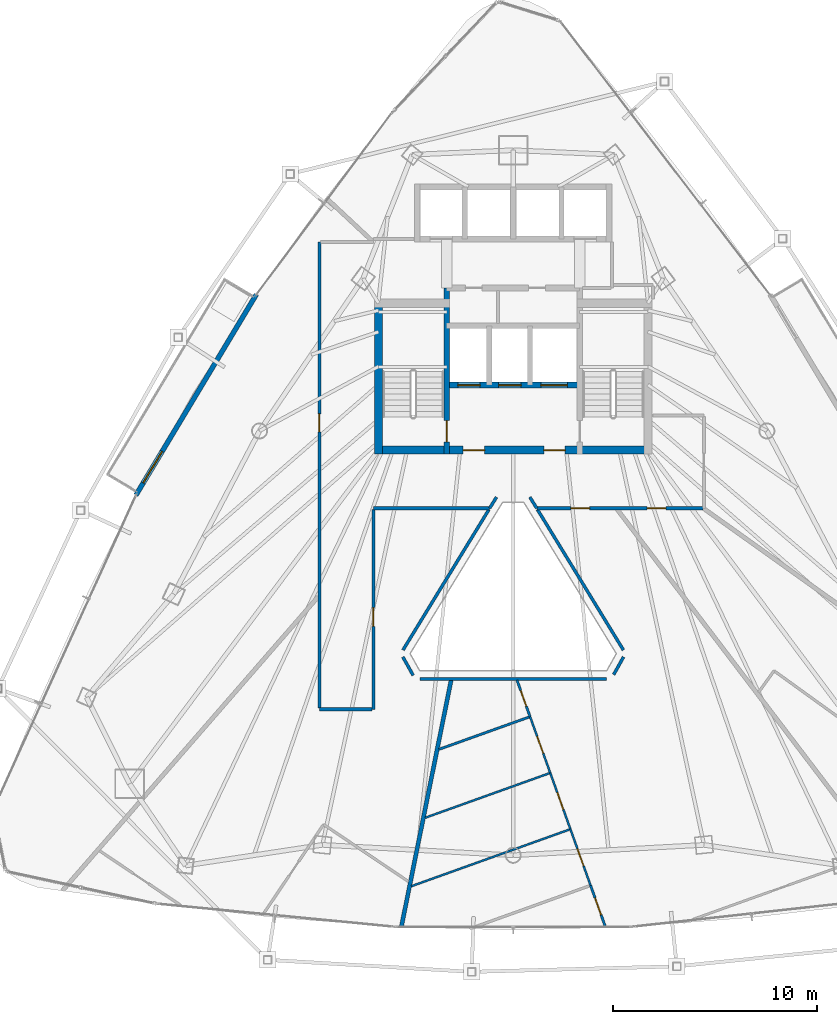
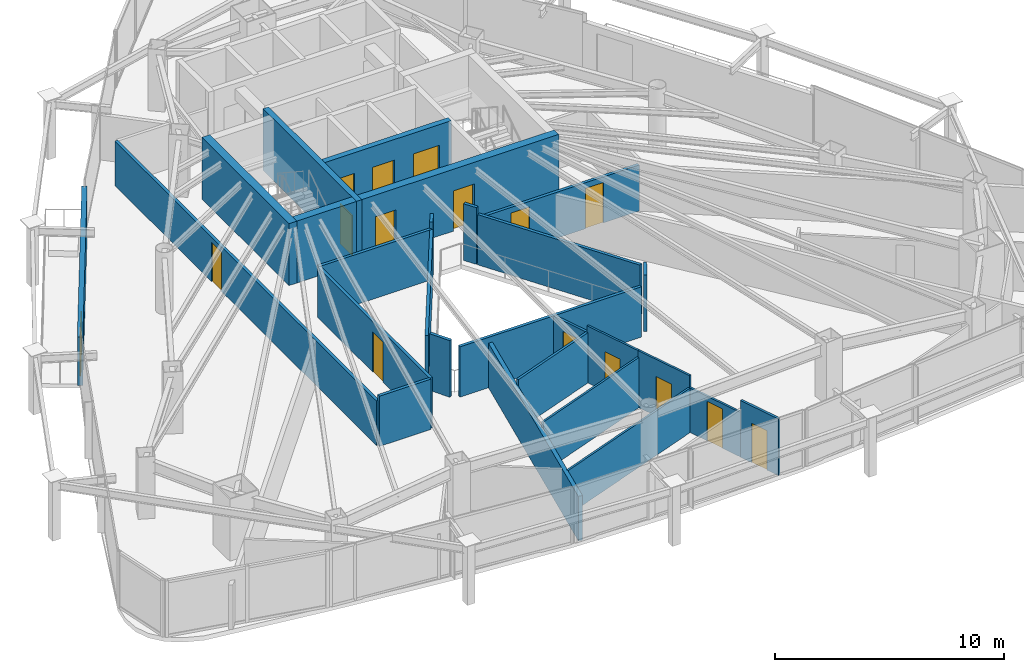
# One storey, part 25 of 30: 26 walls, 16 doors, 16 openings.
"""IFC4 building model written with IfcOpenShell, lengths in metres."""

from ifc_helpers import new_model, si_unit, direction, frame, frame_2d, origin, place, context, subcontext, project, spatial, rectangle, extrude, material, layer, layer_set, type_object, element, fill, save


model = new_model("IFC4")

# Units and contexts
model_context = context("Model", 3, precision=1e-05, world=origin(), true_north=direction((0.0, 1.0)))
body_context = subcontext(model_context, "Body", "Model", "MODEL_VIEW")
ifc_project = project(units=[si_unit("LENGTHUNIT", "METRE"), si_unit("AREAUNIT", "SQUARE_METRE"), si_unit("VOLUMEUNIT", "CUBIC_METRE"), si_unit("PLANEANGLEUNIT", "RADIAN"), si_unit("MASSUNIT", "GRAM", prefix="KILO")], contexts=[model_context])

# Site, building, storey
site_placement = place(None, origin())
site = spatial("IfcSite", under=ifc_project, at=site_placement, CompositionType="ELEMENT")
building_placement = place(site_placement, origin())
building = spatial("IfcBuilding", under=site, at=building_placement, Name="Orvanel Arch Residences", CompositionType="ELEMENT")
storey_placement = place(building_placement, frame((0.0, 0.0, 143.0)))
storey = spatial("IfcBuildingStorey", under=building, at=storey_placement, Name="L40", CompositionType="ELEMENT", Elevation=143.0)

# Wall, opening, door
ifc_material_1 = material(Name="Precast concrete N50 (50 MPa)", Category="concrete")
ifc_layer_1 = layer(ifc_material_1, 0.239990234375)
ifc_layer_set_1 = layer_set([ifc_layer_1], Name="Precast concrete N50 (50 MPa)")
wall_type_1 = type_object("IfcWallType", Name="EW-BAL-240", PredefinedType="SOLIDWALL", material=ifc_layer_set_1)
wall_1_placement = place(storey_placement, frame((20.407958984375, 34.326904296875, 0.0), z_axis=(0.0, 0.0, 1.0), x_axis=(-0.514364263751, -0.857571807009, 0.0)))
wall_1 = element("IfcWall", 1, at=wall_1_placement, inside=storey, type_object=wall_type_1, Name="L40 Balcony Threshold Wall Face 1", PredefinedType="SOLIDWALL", context=body_context, shape_type="SweptSolid", body=[
    extrude(rectangle(XDim=11.46826171875, YDim=0.239990234375, at=frame_2d((5.734130859375, 0.0))), origin(), (0.0, 0.0, 1.0), 2.583984375),
])
opening_1_placement = place(wall_1_placement, frame((8.971923828125, 0.0, 0.0)))
opening_1 = element("IfcOpeningElement", 2, at=opening_1_placement, cuts=wall_1, Name="Opening DB-180", PredefinedType="OPENING", context=body_context, shape_type="SweptSolid", body=[
    extrude(rectangle(XDim=1.800048828125, YDim=2.199951171875, at=frame_2d((0.89990234375, 1.10009765625))), frame((0.0, 0.1298828125, 0.0), z_axis=(0.0, -1.0, 0.0), x_axis=(1.0, 0.0, 0.0)), (0.0, 0.0, 1.0), 0.260009765625),
])
ifc_material_2 = material(Name="Bronze-anodised aluminium AA6063-T6", Category="aluminium")
door_type_1 = type_object("IfcDoorType", Name="DR-BAL-1800", OperationType="NOTDEFINED", PredefinedType="DOOR", material=ifc_material_2)
door_1_placement = place(opening_1_placement, origin())
door_1 = element("IfcDoor", 3, at=door_1_placement, inside=storey, type_object=door_type_1, Name="DR-L40-BAL-F1 L40 Planted Balcony Access Door Face 1", OperationType="SINGLE_SWING_RIGHT", OverallHeight=2.199951171875, OverallWidth=1.800048828125, PredefinedType="DOOR", context=body_context, shape_type="SweptSolid", body=[
    extrude(rectangle(XDim=1.800048828125, YDim=2.199951171875, at=frame_2d((0.89990234375, 1.10009765625))), frame((0.0, 0.02490234375, 0.0), z_axis=(0.0, -1.0, 0.0), x_axis=(1.0, 0.0, 0.0)), (0.0, 0.0, 1.0), 0.050048828125),
])
fill(opening_1, door_1)

ifc_material_3 = material(Name="Concrete S65 (65 MPa)", Category="concrete")
ifc_layer_2 = layer(ifc_material_3, 0.280029296875)
ifc_layer_set_2 = layer_set([ifc_layer_2], Name="Concrete S65 (65 MPa)")
wall_type_2 = type_object("IfcWallType", Name="SW-CORE-280", PredefinedType="SHEAR", material=ifc_layer_set_2)
wall_2_placement = place(storey_placement, frame((29.739990234375, 26.5, 0.0), z_axis=(0.0, 0.0, 1.0), x_axis=(0.0, 1.0, 0.0)))
wall_2 = element("IfcWall", 4, at=wall_2_placement, inside=storey, type_object=wall_type_2, Name="L40 West Inner Core Spine Shear Wall", PredefinedType="SHEAR", context=body_context, shape_type="SweptSolid", body=[
    extrude(rectangle(XDim=8.14990234375, YDim=0.280029296875, at=frame_2d((4.074951171875, 0.0))), origin(), (0.0, 0.0, 1.0), 3.300048828125),
])
opening_2_placement = place(wall_2_placement, frame((0.60009765625, 0.0, 0.0)))
opening_2 = element("IfcOpeningElement", 5, at=opening_2_placement, cuts=wall_2, Name="Opening DF-120", PredefinedType="OPENING", context=body_context, shape_type="SweptSolid", body=[
    extrude(rectangle(XDim=1.050048828125, YDim=2.14990234375, at=frame_2d((0.52490234375, 1.074951171875))), frame((0.0, 0.14990234375, 0.0), z_axis=(0.0, -1.0, 0.0), x_axis=(1.0, 0.0, 0.0)), (0.0, 0.0, 1.0), 0.300048828125),
])
ifc_material_4 = material(Name="Galvanised steel fire-resisting door assembly", Category="steel")
door_type_2 = type_object("IfcDoorType", Name="DR-FD120-1050", OperationType="NOTDEFINED", PredefinedType="DOOR", material=ifc_material_4)
door_2_placement = place(opening_2_placement, origin())
door_2 = element("IfcDoor", 6, at=door_2_placement, inside=storey, type_object=door_type_2, Name="DR-L40-ST1 L40 Stair 1 Fire Door", OperationType="SINGLE_SWING_LEFT", OverallHeight=2.14990234375, OverallWidth=1.050048828125, PredefinedType="DOOR", context=body_context, shape_type="SweptSolid", body=[
    extrude(rectangle(XDim=1.050048828125, YDim=2.14990234375, at=frame_2d((0.52490234375, 1.074951171875))), frame((0.0, 0.02490234375, 0.0), z_axis=(0.0, -1.0, 0.0), x_axis=(1.0, 0.0, 0.0)), (0.0, 0.0, 1.0), 0.050048828125),
])
fill(opening_2, door_2)

# Wall, openings, doors
wall_3_placement = place(storey_placement, frame((36.260009765625, 29.889892578125, 0.0), z_axis=(0.0, 0.0, 1.0), x_axis=(-1.0, 0.0, 0.0)))
wall_3 = element("IfcWall", 7, at=wall_3_placement, inside=storey, type_object=wall_type_2, Name="L40 Emergency Lift Front Core Shear Wall", PredefinedType="SHEAR", context=body_context, shape_type="SweptSolid", body=[
    extrude(rectangle(XDim=6.52001953125, YDim=0.280029296875, at=frame_2d((3.260009765625, 0.0))), origin(), (0.0, 0.0, 1.0), 3.300048828125),
])
opening_3_placement = place(wall_3_placement, frame((4.875, 0.0, 0.0)))
opening_3 = element("IfcOpeningElement", 8, at=opening_3_placement, cuts=wall_3, Name="Opening LD-110", PredefinedType="OPENING", context=body_context, shape_type="SweptSolid", body=[
    extrude(rectangle(XDim=1.10009765625, YDim=2.199951171875, at=frame_2d((0.550048828125, 1.10009765625))), frame((0.0, 0.14990234375, 0.0), z_axis=(0.0, -1.0, 0.0), x_axis=(1.0, 0.0, 0.0)), (0.0, 0.0, 1.0), 0.300048828125),
])
opening_4_placement = place(wall_3_placement, frame((2.875, 0.0, 0.0)))
opening_4 = element("IfcOpeningElement", 9, at=opening_4_placement, cuts=wall_3, Name="Opening LD-110", PredefinedType="OPENING", context=body_context, shape_type="SweptSolid", body=[
    extrude(rectangle(XDim=1.10009765625, YDim=2.199951171875, at=frame_2d((0.550048828125, 1.10009765625))), frame((0.0, 0.14990234375, 0.0), z_axis=(0.0, -1.0, 0.0), x_axis=(1.0, 0.0, 0.0)), (0.0, 0.0, 1.0), 0.300048828125),
])
opening_5_placement = place(wall_3_placement, frame((0.60009765625, 0.0, 0.0)))
opening_5 = element("IfcOpeningElement", 10, at=opening_5_placement, cuts=wall_3, Name="Opening LD-130", PredefinedType="OPENING", context=body_context, shape_type="SweptSolid", body=[
    extrude(rectangle(XDim=1.300048828125, YDim=2.199951171875, at=frame_2d((0.64990234375, 1.10009765625))), frame((0.0, 0.14990234375, 0.0), z_axis=(0.0, -1.0, 0.0), x_axis=(1.0, 0.0, 0.0)), (0.0, 0.0, 1.0), 0.300048828125),
])
door_type_3 = type_object("IfcDoorType", Name="DR-LFT-1100", OperationType="NOTDEFINED", PredefinedType="DOOR", material=ifc_material_4)
door_3_placement = place(opening_3_placement, origin())
door_3 = element("IfcDoor", 11, at=door_3_placement, inside=storey, type_object=door_type_3, Name="LD-F1-L40 L40 Lift F1 Sliding Landing Door", OperationType="DOUBLE_DOOR_SLIDING", OverallHeight=2.199951171875, OverallWidth=1.10009765625, PredefinedType="DOOR", context=body_context, shape_type="SweptSolid", body=[
    extrude(rectangle(XDim=1.10009765625, YDim=2.199951171875, at=frame_2d((0.550048828125, 1.10009765625))), frame((0.0, 0.02490234375, 0.0), z_axis=(0.0, -1.0, 0.0), x_axis=(1.0, 0.0, 0.0)), (0.0, 0.0, 1.0), 0.050048828125),
])
fill(opening_3, door_3)
door_4_placement = place(opening_4_placement, origin())
door_4 = element("IfcDoor", 12, at=door_4_placement, inside=storey, type_object=door_type_3, Name="LD-F2-L40 L40 Lift F2 Sliding Landing Door", OperationType="DOUBLE_DOOR_SLIDING", OverallHeight=2.199951171875, OverallWidth=1.10009765625, PredefinedType="DOOR", context=body_context, shape_type="SweptSolid", body=[
    extrude(rectangle(XDim=1.10009765625, YDim=2.199951171875, at=frame_2d((0.550048828125, 1.10009765625))), frame((0.0, 0.02490234375, 0.0), z_axis=(0.0, -1.0, 0.0), x_axis=(1.0, 0.0, 0.0)), (0.0, 0.0, 1.0), 0.050048828125),
])
fill(opening_4, door_4)
door_type_4 = type_object("IfcDoorType", Name="DR-LFT-1300", OperationType="NOTDEFINED", PredefinedType="DOOR", material=ifc_material_4)
door_5_placement = place(opening_5_placement, origin())
door_5 = element("IfcDoor", 13, at=door_5_placement, inside=storey, type_object=door_type_4, Name="LD-G1-L40 L40 Lift G1 Sliding Landing Door", OperationType="DOUBLE_DOOR_SLIDING", OverallHeight=2.199951171875, OverallWidth=1.300048828125, PredefinedType="DOOR", context=body_context, shape_type="SweptSolid", body=[
    extrude(rectangle(XDim=1.300048828125, YDim=2.199951171875, at=frame_2d((0.64990234375, 1.10009765625))), frame((0.0, 0.02490234375, 0.0), z_axis=(0.0, -1.0, 0.0), x_axis=(1.0, 0.0, 0.0)), (0.0, 0.0, 1.0), 0.050048828125),
])
fill(opening_5, door_5)

ifc_layer_3 = layer(ifc_material_3, 0.39990234375)
ifc_layer_set_3 = layer_set([ifc_layer_3], Name="Concrete S65 (65 MPa)")
wall_type_3 = type_object("IfcWallType", Name="SW-CORE-400", PredefinedType="SHEAR", material=ifc_layer_set_3)
wall_4_placement = place(storey_placement, frame((26.199951171875, 26.699951171875, 0.0), z_axis=(0.0, 0.0, 1.0), x_axis=(1.0, 0.0, 0.0)))
wall_4 = element("IfcWall", 14, at=wall_4_placement, inside=storey, type_object=wall_type_3, Name="L40 South Core Shear Wall", PredefinedType="SHEAR", context=body_context, shape_type="SweptSolid", body=[
    extrude(rectangle(XDim=13.60009765625, YDim=0.39990234375, at=frame_2d((6.800048828125, 0.0))), origin(), (0.0, 0.0, 1.0), 3.300048828125),
])
opening_6_placement = place(wall_4_placement, frame((4.35009765625, 0.0, 0.0)))
opening_6 = element("IfcOpeningElement", 15, at=opening_6_placement, cuts=wall_4, Name="Opening DF-060", PredefinedType="OPENING", context=body_context, shape_type="SweptSolid", body=[
    extrude(rectangle(XDim=1.050048828125, YDim=2.14990234375, at=frame_2d((0.52490234375, 1.074951171875))), frame((0.0, 0.2099609375, 0.0), z_axis=(0.0, -1.0, 0.0), x_axis=(1.0, 0.0, 0.0)), (0.0, 0.0, 1.0), 0.419921875),
])
opening_7_placement = place(wall_4_placement, frame((8.300048828125, 0.0, 0.0)))
opening_7 = element("IfcOpeningElement", 16, at=opening_7_placement, cuts=wall_4, Name="Opening DF-060", PredefinedType="OPENING", context=body_context, shape_type="SweptSolid", body=[
    extrude(rectangle(XDim=1.050048828125, YDim=2.14990234375, at=frame_2d((0.52490234375, 1.074951171875))), frame((0.0, 0.2099609375, 0.0), z_axis=(0.0, -1.0, 0.0), x_axis=(1.0, 0.0, 0.0)), (0.0, 0.0, 1.0), 0.419921875),
])
door_type_5 = type_object("IfcDoorType", Name="DR-FD60-1050", OperationType="NOTDEFINED", PredefinedType="DOOR", material=ifc_material_4)
door_6_placement = place(opening_6_placement, origin())
door_6 = element("IfcDoor", 17, at=door_6_placement, inside=storey, type_object=door_type_5, Name="DR-L40-FFL-W L40 West Smoke Lobby Door", OperationType="SINGLE_SWING_LEFT", OverallHeight=2.14990234375, OverallWidth=1.050048828125, PredefinedType="DOOR", context=body_context, shape_type="SweptSolid", body=[
    extrude(rectangle(XDim=1.050048828125, YDim=2.14990234375, at=frame_2d((0.52490234375, 1.074951171875))), frame((0.0, 0.02490234375, 0.0), z_axis=(0.0, -1.0, 0.0), x_axis=(1.0, 0.0, 0.0)), (0.0, 0.0, 1.0), 0.050048828125),
])
fill(opening_6, door_6)
door_7_placement = place(opening_7_placement, origin())
door_7 = element("IfcDoor", 18, at=door_7_placement, inside=storey, type_object=door_type_5, Name="DR-L40-FFL-E L40 East Smoke Lobby Door", OperationType="SINGLE_SWING_RIGHT", OverallHeight=2.14990234375, OverallWidth=1.050048828125, PredefinedType="DOOR", context=body_context, shape_type="SweptSolid", body=[
    extrude(rectangle(XDim=1.050048828125, YDim=2.14990234375, at=frame_2d((0.52490234375, 1.074951171875))), frame((0.0, 0.02490234375, 0.0), z_axis=(0.0, -1.0, 0.0), x_axis=(1.0, 0.0, 0.0)), (0.0, 0.0, 1.0), 0.050048828125),
])
fill(opening_7, door_7)

# Walls
wall_5_placement = place(storey_placement, frame((26.39990234375, 26.5, 0.0), z_axis=(0.0, 0.0, 1.0), x_axis=(0.0, 1.0, 0.0)))
element("IfcWall", 19, at=wall_5_placement, inside=storey, type_object=wall_type_3, Name="L40 West Stair Shear Wall", PredefinedType="SHEAR", context=body_context, shape_type="SweptSolid", body=[
    extrude(rectangle(XDim=7.60009765625, YDim=0.39990234375, at=frame_2d((3.800048828125, 0.0))), origin(), (0.0, 0.0, 1.0), 3.300048828125),
])
ifc_material_5 = material(Name="Fire-rated plasterboard lined steel stud partition", Category="steel")
ifc_layer_4 = layer(ifc_material_5, 0.14990234375)
ifc_layer_set_4 = layer_set([ifc_layer_4], Name="Fire-rated plasterboard lined steel stud partition")
wall_type_4 = type_object("IfcWallType", Name="W-COR-150", PredefinedType="PARTITIONING", material=ifc_layer_set_4)
wall_6_placement = place(storey_placement, frame((32.18310546875, 24.39599609375, 0.0), z_axis=(0.0, 0.0, 1.0), x_axis=(-0.527674894897, -0.849446411079, 0.0)))
element("IfcWall", 20, at=wall_6_placement, inside=storey, type_object=wall_type_4, Name="L40 Corridor Fire-Rated Partition", PredefinedType="PARTITIONING", context=body_context, shape_type="SweptSolid", body=[
    extrude(rectangle(XDim=0.642578125, YDim=0.14990234375, at=frame_2d((0.3212890625, 0.0))), origin(), (0.0, 0.0, 1.0), 3.02001953125),
])
wall_7_placement = place(storey_placement, frame((31.843994140625, 23.85009765625, 0.0), z_axis=(0.0, 0.0, 1.0), x_axis=(-1.0, 0.0, 0.0)))
element("IfcWall", 21, at=wall_7_placement, inside=storey, type_object=wall_type_4, Name="L40 Corridor Fire-Rated Partition", PredefinedType="PARTITIONING", context=body_context, shape_type="SweptSolid", body=[
    extrude(rectangle(XDim=5.694091796875, YDim=0.14990234375, at=frame_2d((2.84716796875, 0.0))), origin(), (0.0, 0.0, 1.0), 2.680908203125),
])

# Wall, opening, door
wall_8_placement = place(storey_placement, frame((26.14990234375, 23.7900390625, 0.0), z_axis=(0.0, 0.0, 1.0), x_axis=(0.0, -1.0, 0.0)))
wall_8 = element("IfcWall", 22, at=wall_8_placement, inside=storey, type_object=wall_type_4, Name="L40 Corridor Fire-Rated Partition", PredefinedType="PARTITIONING", context=body_context, shape_type="SweptSolid", body=[
    extrude(rectangle(XDim=9.7900390625, YDim=0.14990234375, at=frame_2d((4.89501953125, 0.0))), origin(), (0.0, 0.0, 1.0), 2.680908203125),
])
opening_8_placement = place(wall_8_placement, frame((4.80908203125, 0.0, 0.0)))
opening_8 = element("IfcOpeningElement", 23, at=opening_8_placement, cuts=wall_8, Name="Opening DA-092", PredefinedType="OPENING", context=body_context, shape_type="SweptSolid", body=[
    extrude(rectangle(XDim=0.919921875, YDim=2.14990234375, at=frame_2d((0.4599609375, 1.074951171875))), frame((0.0, 0.0849609375, 0.0), z_axis=(0.0, -1.0, 0.0), x_axis=(1.0, 0.0, 0.0)), (0.0, 0.0, 1.0), 0.169921875),
])
ifc_material_6 = material(Name="Solid-core European oak veneer fire door leaf", Category="wood")
door_type_6 = type_object("IfcDoorType", Name="DR-APT-920", OperationType="NOTDEFINED", PredefinedType="DOOR", material=ifc_material_6)
door_8_placement = place(opening_8_placement, origin())
door_8 = element("IfcDoor", 24, at=door_8_placement, inside=storey, type_object=door_type_6, Name="DR-L40-D-ENT L40 Studio D Entrance Door", OperationType="SINGLE_SWING_LEFT", OverallHeight=2.14990234375, OverallWidth=0.919921875, PredefinedType="DOOR", context=body_context, shape_type="SweptSolid", body=[
    extrude(rectangle(XDim=0.919921875, YDim=2.14990234375, at=frame_2d((0.4599609375, 1.074951171875))), frame((0.0, 0.02490234375, 0.0), z_axis=(0.0, -1.0, 0.0), x_axis=(1.0, 0.0, 0.0)), (0.0, 0.0, 1.0), 0.050048828125),
])
fill(opening_8, door_8)

# Wall
wall_9_placement = place(storey_placement, frame((26.090087890625, 14.0, 0.0), z_axis=(0.0, 0.0, 1.0), x_axis=(-1.0, 0.0, 0.0)))
element("IfcWall", 25, at=wall_9_placement, inside=storey, type_object=wall_type_4, Name="L40 Corridor Fire-Rated Partition", PredefinedType="PARTITIONING", context=body_context, shape_type="SweptSolid", body=[
    extrude(rectangle(XDim=2.590087890625, YDim=0.14990234375, at=frame_2d((1.294921875, 0.0))), origin(), (0.0, 0.0, 1.0), 2.680908203125),
])

# Wall, opening, door
wall_10_placement = place(storey_placement, frame((23.5, 14.06005859375, 0.0), z_axis=(0.0, 0.0, 1.0), x_axis=(0.0, 1.0, 0.0)))
wall_10 = element("IfcWall", 26, at=wall_10_placement, inside=storey, type_object=wall_type_4, Name="L40 Corridor Fire-Rated Partition", PredefinedType="PARTITIONING", context=body_context, shape_type="SweptSolid", body=[
    extrude(rectangle(XDim=22.83984375, YDim=0.14990234375, at=frame_2d((11.419921875, 0.0))), origin(), (0.0, 0.0, 1.0), 2.373046875),
])
opening_9_placement = place(wall_10_placement, frame((13.532958984375, 0.0, 0.0)))
opening_9 = element("IfcOpeningElement", 27, at=opening_9_placement, cuts=wall_10, Name="Opening DI-088", PredefinedType="OPENING", context=body_context, shape_type="SweptSolid", body=[
    extrude(rectangle(XDim=0.8798828125, YDim=2.10009765625, at=frame_2d((0.43994140625, 1.050048828125))), frame((0.0, 0.0849609375, 0.0), z_axis=(0.0, -1.0, 0.0), x_axis=(1.0, 0.0, 0.0)), (0.0, 0.0, 1.0), 0.169921875),
])
door_type_7 = type_object("IfcDoorType", Name="DR-INT-880", OperationType="NOTDEFINED", PredefinedType="DOOR", material=ifc_material_6)
door_9_placement = place(opening_9_placement, origin())
door_9 = element("IfcDoor", 28, at=door_9_placement, inside=storey, type_object=door_type_7, Name="DR-L40-SHRD-FB3 L40 Co-Working Study Office C Door", OperationType="SINGLE_SWING_LEFT", OverallHeight=2.10009765625, OverallWidth=0.8798828125, PredefinedType="DOOR", context=body_context, shape_type="SweptSolid", body=[
    extrude(rectangle(XDim=0.8798828125, YDim=2.10009765625, at=frame_2d((0.43994140625, 1.050048828125))), frame((0.0, 0.02490234375, 0.0), z_axis=(0.0, -1.0, 0.0), x_axis=(1.0, 0.0, 0.0)), (0.0, 0.0, 1.0), 0.050048828125),
])
fill(opening_9, door_9)

# Wall, openings, doors
wall_11_placement = place(storey_placement, frame((42.2900390625, 23.85009765625, 0.0), z_axis=(0.0, 0.0, 1.0), x_axis=(-1.0, 0.0, 0.0)))
wall_11 = element("IfcWall", 29, at=wall_11_placement, inside=storey, type_object=wall_type_4, Name="L40 Corridor Fire-Rated Partition", PredefinedType="PARTITIONING", context=body_context, shape_type="SweptSolid", body=[
    extrude(rectangle(XDim=8.134033203125, YDim=0.14990234375, at=frame_2d((4.06689453125, 0.0))), origin(), (0.0, 0.0, 1.0), 2.451904296875),
])
opening_10_placement = place(wall_11_placement, frame((5.5458984375, 0.0, 0.0)))
opening_10 = element("IfcOpeningElement", 30, at=opening_10_placement, cuts=wall_11, Name="Opening DA-092", PredefinedType="OPENING", context=body_context, shape_type="SweptSolid", body=[
    extrude(rectangle(XDim=0.919921875, YDim=2.14990234375, at=frame_2d((0.4599609375, 1.074951171875))), frame((0.0, 0.0849609375, 0.0), z_axis=(0.0, -1.0, 0.0), x_axis=(1.0, 0.0, 0.0)), (0.0, 0.0, 1.0), 0.169921875),
])
opening_11_placement = place(wall_11_placement, frame((1.806884765625, 0.0, 0.0)))
opening_11 = element("IfcOpeningElement", 31, at=opening_11_placement, cuts=wall_11, Name="Opening DA-092", PredefinedType="OPENING", context=body_context, shape_type="SweptSolid", body=[
    extrude(rectangle(XDim=0.919921875, YDim=2.14990234375, at=frame_2d((0.4599609375, 1.074951171875))), frame((0.0, 0.0849609375, 0.0), z_axis=(0.0, -1.0, 0.0), x_axis=(1.0, 0.0, 0.0)), (0.0, 0.0, 1.0), 0.169921875),
])
door_10_placement = place(opening_10_placement, origin())
door_10 = element("IfcDoor", 32, at=door_10_placement, inside=storey, type_object=door_type_6, Name="DR-L40-A-ENT L40 Flat A Entrance Door", OperationType="SINGLE_SWING_RIGHT", OverallHeight=2.14990234375, OverallWidth=0.919921875, PredefinedType="DOOR", context=body_context, shape_type="SweptSolid", body=[
    extrude(rectangle(XDim=0.919921875, YDim=2.14990234375, at=frame_2d((0.4599609375, 1.074951171875))), frame((0.0, 0.02490234375, 0.0), z_axis=(0.0, -1.0, 0.0), x_axis=(1.0, 0.0, 0.0)), (0.0, 0.0, 1.0), 0.050048828125),
])
fill(opening_10, door_10)
door_11_placement = place(opening_11_placement, origin())
door_11 = element("IfcDoor", 33, at=door_11_placement, inside=storey, type_object=door_type_6, Name="DR-L40-E-ENT L40 Studio E Entrance Door", OperationType="SINGLE_SWING_RIGHT", OverallHeight=2.14990234375, OverallWidth=0.919921875, PredefinedType="DOOR", context=body_context, shape_type="SweptSolid", body=[
    extrude(rectangle(XDim=0.919921875, YDim=2.14990234375, at=frame_2d((0.4599609375, 1.074951171875))), frame((0.0, 0.02490234375, 0.0), z_axis=(0.0, -1.0, 0.0), x_axis=(1.0, 0.0, 0.0)), (0.0, 0.0, 1.0), 0.050048828125),
])
fill(opening_11, door_11)

# Walls
wall_12_placement = place(storey_placement, frame((34.156005859375, 23.85107421875, 0.0), z_axis=(0.0, 0.0, 1.0), x_axis=(-0.528356729584, 0.849022476913, 0.0)))
element("IfcWall", 34, at=wall_12_placement, inside=storey, type_object=wall_type_4, Name="L40 Corridor Fire-Rated Partition", PredefinedType="PARTITIONING", context=body_context, shape_type="SweptSolid", body=[
    extrude(rectangle(XDim=0.641845703125, YDim=0.14990234375, at=frame_2d((0.32080078125, 0.0))), origin(), (0.0, 0.0, 1.0), 3.02001953125),
])
wall_13_placement = place(storey_placement, frame((34.18798828125, 23.7900390625, 0.0), z_axis=(0.0, 0.0, 1.0), x_axis=(0.521816809014, -0.853057570057, 0.0)))
element("IfcWall", 35, at=wall_13_placement, inside=storey, type_object=wall_type_4, Name="L40 Atrium Overlook Glazed Partition", PredefinedType="PARTITIONING", context=body_context, shape_type="SweptSolid", body=[
    extrude(rectangle(XDim=8.075927734375, YDim=0.14990234375, at=frame_2d((4.0380859375, 0.0))), origin(), (0.0, 0.0, 1.0), 2.680908203125),
])
wall_14_placement = place(storey_placement, frame((38.407958984375, 16.56494140625, 0.0), z_axis=(0.0, 0.0, 1.0), x_axis=(-0.48761814532, -0.873057010942, 0.0)))
element("IfcWall", 36, at=wall_14_placement, inside=storey, type_object=wall_type_4, Name="L40 Atrium Overlook Glazed Partition", PredefinedType="PARTITIONING", context=body_context, shape_type="SweptSolid", body=[
    extrude(rectangle(XDim=0.996337890625, YDim=0.14990234375, at=frame_2d((0.498046875, 0.0))), origin(), (0.0, 0.0, 1.0), 3.02001953125),
])
wall_15_placement = place(storey_placement, frame((37.573974609375, 15.490966796875, 0.0), z_axis=(0.0, 0.0, 1.0), x_axis=(-1.0, 0.0, 0.0)))
element("IfcWall", 37, at=wall_15_placement, inside=storey, type_object=wall_type_4, Name="L40 Atrium Overlook Glazed Partition", PredefinedType="PARTITIONING", context=body_context, shape_type="SweptSolid", body=[
    extrude(rectangle(XDim=9.14794921875, YDim=0.14990234375, at=frame_2d((4.573974609375, 0.0))), origin(), (0.0, 0.0, 1.0), 2.680908203125),
])
wall_16_placement = place(storey_placement, frame((28.097900390625, 15.662109375, 0.0), z_axis=(0.0, 0.0, 1.0), x_axis=(-0.488804496818, 0.872393353878, 0.0)))
element("IfcWall", 38, at=wall_16_placement, inside=storey, type_object=wall_type_4, Name="L40 Atrium Overlook Glazed Partition", PredefinedType="PARTITIONING", context=body_context, shape_type="SweptSolid", body=[
    extrude(rectangle(XDim=1.034912109375, YDim=0.14990234375, at=frame_2d((0.517578125, 0.0))), origin(), (0.0, 0.0, 1.0), 3.02001953125),
])
wall_17_placement = place(storey_placement, frame((27.597900390625, 16.90087890625, 0.0), z_axis=(0.0, 0.0, 1.0), x_axis=(0.521816809014, 0.853057570057, 0.0)))
element("IfcWall", 39, at=wall_17_placement, inside=storey, type_object=wall_type_4, Name="L40 Atrium Overlook Glazed Partition", PredefinedType="PARTITIONING", context=body_context, shape_type="SweptSolid", body=[
    extrude(rectangle(XDim=8.075927734375, YDim=0.14990234375, at=frame_2d((4.0380859375, 0.0))), origin(), (0.0, 0.0, 1.0), 2.680908203125),
])
ifc_layer_5 = layer(ifc_material_5, 0.199951171875)
ifc_layer_set_5 = layer_set([ifc_layer_5], Name="Fire-rated plasterboard lined steel stud partition")
wall_type_5 = type_object("IfcWallType", Name="W-DEM-200", PredefinedType="PARTITIONING", material=ifc_layer_set_5)
wall_18_placement = place(storey_placement, frame((27.52099609375, 3.342041015625, 0.0), z_axis=(0.0, 0.0, 1.0), x_axis=(0.197768112081, 0.980248832615, 0.0)))
element("IfcWall", 40, at=wall_18_placement, inside=storey, type_object=wall_type_5, Name="L40 Inter-Tenancy Acoustic Demising Wall", PredefinedType="PARTITIONING", context=body_context, shape_type="SweptSolid", body=[
    extrude(rectangle(XDim=12.33251953125, YDim=0.199951171875, at=frame_2d((6.166259765625, 0.0))), origin(), (0.0, 0.0, 1.0), 2.373046875),
])

# Wall, opening, door
ifc_material_7 = material(Name="Acoustic plasterboard lined twin-stud partition", Category="gypsum")
ifc_layer_6 = layer(ifc_material_7, 0.10009765625)
ifc_layer_set_6 = layer_set([ifc_layer_6], Name="Acoustic plasterboard lined twin-stud partition")
wall_type_6 = type_object("IfcWallType", Name="W-INT-100", PredefinedType="PARTITIONING", material=ifc_layer_set_6)
wall_19_placement = place(storey_placement, frame((36.7919921875, 5.365966796875, 0.0), z_axis=(0.0, 0.0, 1.0), x_axis=(-0.33735537207, 0.941377370099, 0.0)))
wall_19 = element("IfcWall", 41, at=wall_19_placement, inside=storey, type_object=wall_type_6, Name="L40 Flat A Internal Partition", PredefinedType="PARTITIONING", context=body_context, shape_type="SweptSolid", body=[
    extrude(rectangle(XDim=2.9287109375, YDim=0.10009765625, at=frame_2d((1.46435546875, 0.0))), origin(), (0.0, 0.0, 1.0), 2.373046875),
])
opening_12_placement = place(wall_19_placement, frame((1.02392578125, 0.0, 0.0)))
opening_12 = element("IfcOpeningElement", 42, at=opening_12_placement, cuts=wall_19, Name="Opening DI-088", PredefinedType="OPENING", context=body_context, shape_type="SweptSolid", body=[
    extrude(rectangle(XDim=0.8798828125, YDim=2.10009765625, at=frame_2d((0.43994140625, 1.050048828125))), frame((0.0, 0.06005859375, 0.0), z_axis=(0.0, -1.0, 0.0), x_axis=(1.0, 0.0, 0.0)), (0.0, 0.0, 1.0), 0.1201171875),
])
door_12_placement = place(opening_12_placement, origin())
door_12 = element("IfcDoor", 43, at=door_12_placement, inside=storey, type_object=door_type_7, Name="DR-L40-A-BED1 L40 Flat A Bedroom 1 Door", OperationType="SINGLE_SWING_LEFT", OverallHeight=2.10009765625, OverallWidth=0.8798828125, PredefinedType="DOOR", context=body_context, shape_type="SweptSolid", body=[
    extrude(rectangle(XDim=0.8798828125, YDim=2.10009765625, at=frame_2d((0.43994140625, 1.050048828125))), frame((0.0, 0.02490234375, 0.0), z_axis=(0.0, -1.0, 0.0), x_axis=(1.0, 0.0, 0.0)), (0.0, 0.0, 1.0), 0.050048828125),
])
fill(opening_12, door_12)

wall_20_placement = place(storey_placement, frame((35.803955078125, 8.123046875, 0.0), z_axis=(0.0, 0.0, 1.0), x_axis=(-0.337381847176, 0.941367881965, 0.0)))
wall_20 = element("IfcWall", 44, at=wall_20_placement, inside=storey, type_object=wall_type_6, Name="L40 Flat A Internal Partition", PredefinedType="PARTITIONING", context=body_context, shape_type="SweptSolid", body=[
    extrude(rectangle(XDim=2.928466796875, YDim=0.10009765625, at=frame_2d((1.46435546875, 0.0))), origin(), (0.0, 0.0, 1.0), 3.02001953125),
])
opening_13_placement = place(wall_20_placement, frame((1.02392578125, 0.0, 0.0)))
opening_13 = element("IfcOpeningElement", 45, at=opening_13_placement, cuts=wall_20, Name="Opening DI-088", PredefinedType="OPENING", context=body_context, shape_type="SweptSolid", body=[
    extrude(rectangle(XDim=0.8798828125, YDim=2.10009765625, at=frame_2d((0.43994140625, 1.050048828125))), frame((0.0, 0.06005859375, 0.0), z_axis=(0.0, -1.0, 0.0), x_axis=(1.0, 0.0, 0.0)), (0.0, 0.0, 1.0), 0.1201171875),
])
door_13_placement = place(opening_13_placement, origin())
door_13 = element("IfcDoor", 46, at=door_13_placement, inside=storey, type_object=door_type_7, Name="DR-L40-A-AME3 L40 Flat A Resident Reading Library 2 Door", OperationType="SINGLE_SWING_LEFT", OverallHeight=2.10009765625, OverallWidth=0.8798828125, PredefinedType="DOOR", context=body_context, shape_type="SweptSolid", body=[
    extrude(rectangle(XDim=0.8798828125, YDim=2.10009765625, at=frame_2d((0.43994140625, 1.050048828125))), frame((0.0, 0.02490234375, 0.0), z_axis=(0.0, -1.0, 0.0), x_axis=(1.0, 0.0, 0.0)), (0.0, 0.0, 1.0), 0.050048828125),
])
fill(opening_13, door_13)

wall_21_placement = place(storey_placement, frame((34.81591796875, 10.8798828125, 0.0), z_axis=(0.0, 0.0, 1.0), x_axis=(-0.337756804272, 0.941233414817, 0.0)))
wall_21 = element("IfcWall", 47, at=wall_21_placement, inside=storey, type_object=wall_type_6, Name="L40 Flat A Internal Partition", PredefinedType="PARTITIONING", context=body_context, shape_type="SweptSolid", body=[
    extrude(rectangle(XDim=2.92822265625, YDim=0.10009765625, at=frame_2d((1.464111328125, 0.0))), origin(), (0.0, 0.0, 1.0), 3.02001953125),
])
opening_14_placement = place(wall_21_placement, frame((1.02392578125, 0.0, 0.0)))
opening_14 = element("IfcOpeningElement", 48, at=opening_14_placement, cuts=wall_21, Name="Opening DI-088", PredefinedType="OPENING", context=body_context, shape_type="SweptSolid", body=[
    extrude(rectangle(XDim=0.8798828125, YDim=2.10009765625, at=frame_2d((0.43994140625, 1.050048828125))), frame((0.0, 0.06005859375, 0.0), z_axis=(0.0, -1.0, 0.0), x_axis=(1.0, 0.0, 0.0)), (0.0, 0.0, 1.0), 0.1201171875),
])
door_14_placement = place(opening_14_placement, origin())
door_14 = element("IfcDoor", 49, at=door_14_placement, inside=storey, type_object=door_type_7, Name="DR-L40-A-DIN4 L40 Flat A Dining Room 4 Door", OperationType="SINGLE_SWING_LEFT", OverallHeight=2.10009765625, OverallWidth=0.8798828125, PredefinedType="DOOR", context=body_context, shape_type="SweptSolid", body=[
    extrude(rectangle(XDim=0.8798828125, YDim=2.10009765625, at=frame_2d((0.43994140625, 1.050048828125))), frame((0.0, 0.02490234375, 0.0), z_axis=(0.0, -1.0, 0.0), x_axis=(1.0, 0.0, 0.0)), (0.0, 0.0, 1.0), 0.050048828125),
])
fill(opening_14, door_14)

# Walls
wall_22_placement = place(storey_placement, frame((28.008056640625, 5.327880859375, 0.0), z_axis=(0.0, 0.0, 1.0), x_axis=(0.941323677897, 0.337505160599, 0.0)))
element("IfcWall", 50, at=wall_22_placement, inside=storey, type_object=wall_type_6, Name="L40 Flat A Internal Partition", PredefinedType="PARTITIONING", context=body_context, shape_type="SweptSolid", body=[
    extrude(rectangle(XDim=8.28173828125, YDim=0.10009765625, at=frame_2d((4.140869140625, 0.0))), origin(), (0.0, 0.0, 1.0), 2.373046875),
])
wall_23_placement = place(storey_placement, frame((28.68505859375, 8.681884765625, 0.0), z_axis=(0.0, 0.0, 1.0), x_axis=(0.94133243901, 0.337480724291, 0.0)))
element("IfcWall", 51, at=wall_23_placement, inside=storey, type_object=wall_type_6, Name="L40 Flat A Internal Partition", PredefinedType="PARTITIONING", context=body_context, shape_type="SweptSolid", body=[
    extrude(rectangle(XDim=6.512939453125, YDim=0.10009765625, at=frame_2d((3.25634765625, 0.0))), origin(), (0.0, 0.0, 1.0), 2.680908203125),
])

# Wall, opening, door
ifc_layer_7 = layer(ifc_material_7, 0.1201171875)
ifc_layer_set_7 = layer_set([ifc_layer_7], Name="Acoustic plasterboard lined twin-stud partition")
wall_type_7 = type_object("IfcWallType", Name="W-WET-120", PredefinedType="PARTITIONING", material=ifc_layer_set_7)
wall_24_placement = place(storey_placement, frame((33.826904296875, 13.635986328125, 0.0), z_axis=(0.0, 0.0, 1.0), x_axis=(-0.337163686904, 0.941446041063, 0.0)))
wall_24 = element("IfcWall", 52, at=wall_24_placement, inside=storey, type_object=wall_type_7, Name="L40 Flat A Bathroom Partition", PredefinedType="PARTITIONING", context=body_context, shape_type="SweptSolid", body=[
    extrude(rectangle(XDim=1.906494140625, YDim=0.1201171875, at=frame_2d((0.953125, 0.0))), origin(), (0.0, 0.0, 1.0), 2.680908203125),
])
opening_15_placement = place(wall_24_placement, frame((0.54296875, 0.0, 0.0)))
opening_15 = element("IfcOpeningElement", 53, at=opening_15_placement, cuts=wall_24, Name="Opening DW-082", PredefinedType="OPENING", context=body_context, shape_type="SweptSolid", body=[
    extrude(rectangle(XDim=0.820068359375, YDim=2.10009765625, at=frame_2d((0.41015625, 1.050048828125))), frame((0.0, 0.070068359375, 0.0), z_axis=(0.0, -1.0, 0.0), x_axis=(1.0, 0.0, 0.0)), (0.0, 0.0, 1.0), 0.14013671875),
])
door_type_8 = type_object("IfcDoorType", Name="DR-WET-820", OperationType="NOTDEFINED", PredefinedType="DOOR", material=ifc_material_6)
door_15_placement = place(opening_15_placement, origin())
door_15 = element("IfcDoor", 54, at=door_15_placement, inside=storey, type_object=door_type_8, Name="DR-L40-A-BATH L40 Flat A Bathroom Door", OperationType="SINGLE_SWING_RIGHT", OverallHeight=2.10009765625, OverallWidth=0.820068359375, PredefinedType="DOOR", context=body_context, shape_type="SweptSolid", body=[
    extrude(rectangle(XDim=0.820068359375, YDim=2.10009765625, at=frame_2d((0.41015625, 1.050048828125))), frame((0.0, 0.02490234375, 0.0), z_axis=(0.0, -1.0, 0.0), x_axis=(1.0, 0.0, 0.0)), (0.0, 0.0, 1.0), 0.050048828125),
])
fill(opening_15, door_15)

wall_25_placement = place(storey_placement, frame((37.527099609375, 3.31494140625, 0.0), z_axis=(0.0, 0.0, 1.0), x_axis=(-0.337393850622, 0.9413635799, 0.0)))
wall_25 = element("IfcWall", 55, at=wall_25_placement, inside=storey, type_object=wall_type_7, Name="L40 Flat A Internal Partition", PredefinedType="PARTITIONING", context=body_context, shape_type="SweptSolid", body=[
    extrude(rectangle(XDim=2.1787109375, YDim=0.1201171875, at=frame_2d((1.08935546875, 0.0))), origin(), (0.0, 0.0, 1.0), 3.02001953125),
])
opening_16_placement = place(wall_25_placement, frame((0.64892578125, 0.0, 0.0)))
opening_16 = element("IfcOpeningElement", 56, at=opening_16_placement, cuts=wall_25, Name="Opening DI-088", PredefinedType="OPENING", context=body_context, shape_type="SweptSolid", body=[
    extrude(rectangle(XDim=0.8798828125, YDim=2.10009765625, at=frame_2d((0.43994140625, 1.050048828125))), frame((0.0, 0.070068359375, 0.0), z_axis=(0.0, -1.0, 0.0), x_axis=(1.0, 0.0, 0.0)), (0.0, 0.0, 1.0), 0.14013671875),
])
door_16_placement = place(opening_16_placement, origin())
door_16 = element("IfcDoor", 57, at=door_16_placement, inside=storey, type_object=door_type_7, Name="DR-L40-A-KIT L40 Flat A Kitchen Door", OperationType="SINGLE_SWING_LEFT", OverallHeight=2.10009765625, OverallWidth=0.8798828125, PredefinedType="DOOR", context=body_context, shape_type="SweptSolid", body=[
    extrude(rectangle(XDim=0.8798828125, YDim=2.10009765625, at=frame_2d((0.43994140625, 1.050048828125))), frame((0.0, 0.02490234375, 0.0), z_axis=(0.0, -1.0, 0.0), x_axis=(1.0, 0.0, 0.0)), (0.0, 0.0, 1.0), 0.050048828125),
])
fill(opening_16, door_16)

# Wall
wall_26_placement = place(storey_placement, frame((33.826904296875, 13.635986328125, 0.0), z_axis=(0.0, 0.0, 1.0), x_axis=(-0.941307932725, -0.337549071676, 0.0)))
element("IfcWall", 58, at=wall_26_placement, inside=storey, type_object=wall_type_7, Name="L40 Flat A Bathroom Partition", PredefinedType="PARTITIONING", context=body_context, shape_type="SweptSolid", body=[
    extrude(rectangle(XDim=4.7431640625, YDim=0.1201171875, at=frame_2d((2.37158203125, 0.0))), origin(), (0.0, 0.0, 1.0), 2.680908203125),
])

save(model, "model.ifc")
